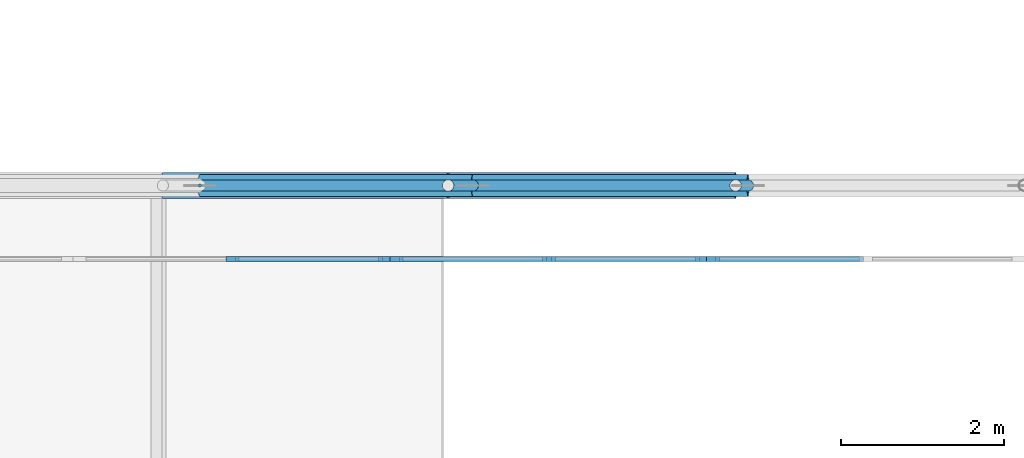
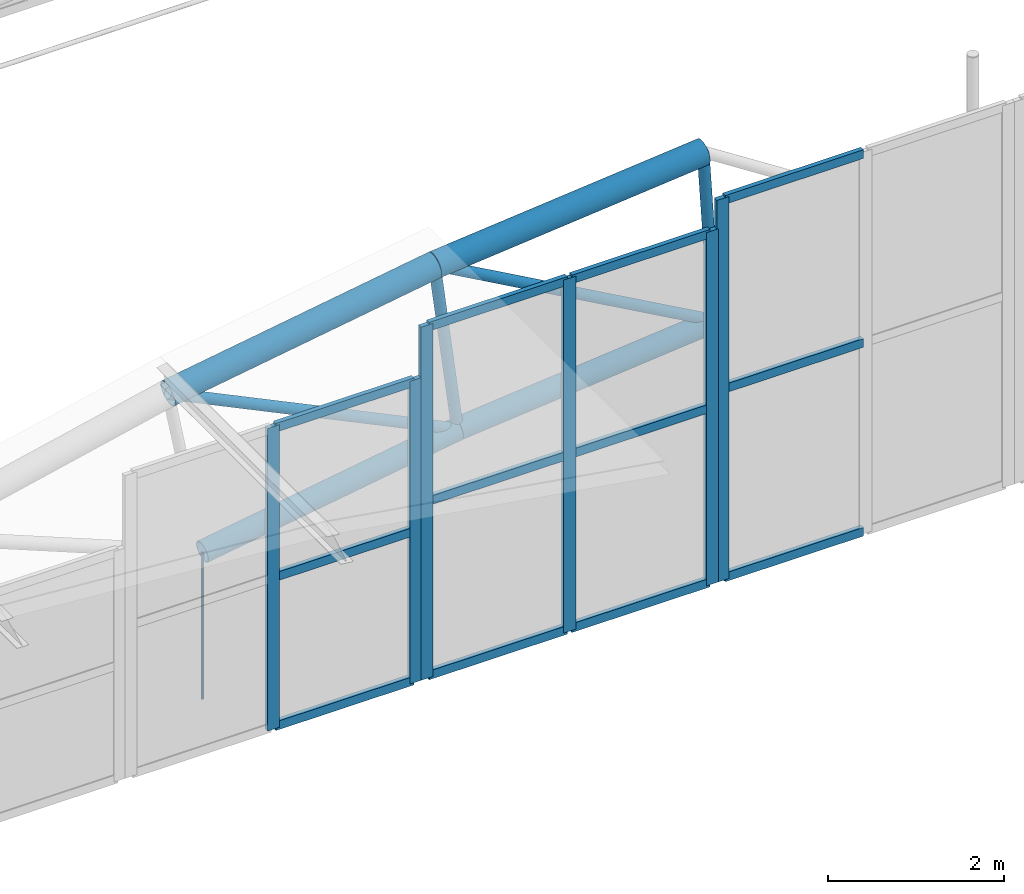
# One storey, part 135 of 321: 27 members, 3 elements without a shape of their own.
"""IFC4 building model written with IfcOpenShell, lengths in metres."""

from ifc_helpers import new_model, si_unit, direction, frame, origin, origin_2d, place, context, subcontext, project, spatial, rectangle, circle, hollow_circle, extrude, material, layer, layer_set, material_profile, profile_set, type_object, element, aggregate, save


model = new_model("IFC4")

# Units and contexts
model_context = context("Model", 3, precision=1e-05, world=origin(), true_north=direction((0.0, 1.0)))
body_context = subcontext(model_context, "Body", "Model", "MODEL_VIEW")
ifc_project = project(units=[si_unit("LENGTHUNIT", "METRE"), si_unit("AREAUNIT", "SQUARE_METRE"), si_unit("VOLUMEUNIT", "CUBIC_METRE"), si_unit("PLANEANGLEUNIT", "RADIAN"), si_unit("MASSUNIT", "GRAM", prefix="KILO")], contexts=[model_context])

# Site, building, storey
site_placement = place(None, origin())
site = spatial("IfcSite", under=ifc_project, at=site_placement, CompositionType="ELEMENT")
building_placement = place(site_placement, origin())
building = spatial("IfcBuilding", under=site, at=building_placement, Name="Ravi Spectrum Wholesale Market", CompositionType="ELEMENT")
storey_placement = place(building_placement, frame((0.0, 0.0, 10.800048828125)))
storey = spatial("IfcBuildingStorey", under=building, at=storey_placement, Name="L02", CompositionType="ELEMENT", Elevation=10.800048828125)

# Members
ifc_material_1 = material(Name="Steel S355", Category="steel")
ifc_material_profile_1 = material_profile(ifc_material_1, hollow_circle(Radius=0.06982421875, WallThickness=0.0048828125, at=origin_2d()))
ifc_profile_set_1 = profile_set([ifc_material_profile_1], Name="Steel S355")
member_type_1 = type_object("IfcMemberType", Name="CHS 139.7x5 brace", PredefinedType="BRACE", material=ifc_profile_set_1)
for number, where, z_axis, x_axis, name in (
    (1, (163.434326171875, 126.0, 4.394775390625), (0.901638699511, 0.0, -0.432490064098), (0.0, 1.0, 0.0), "H2-MB-L02-269"),
    (2, (166.9326171875, 126.0, 4.952392578125), (0.872529716562, 0.0, -0.488561044001), (0.0, 1.0, 0.0), "H2-MB-L02-270"),
):
    element("IfcMember", number, at=place(storey_placement, frame(where, z_axis=z_axis, x_axis=x_axis)), inside=storey, type_object=member_type_1, Name=name, PredefinedType="BRACE", context=body_context, shape_type="SweptSolid", body=[
        extrude(hollow_circle(Radius=0.06982421875, WallThickness=0.0048828125, at=origin_2d()), origin(), (0.0, 0.0, 1.0), 4.215576171875),
    ])
ifc_material_2 = material(Name="Steel S355", Category="steel")
ifc_material_profile_2 = material_profile(ifc_material_2, hollow_circle(Radius=0.06982421875, WallThickness=0.0048828125, at=origin_2d()))
ifc_profile_set_2 = profile_set([ifc_material_profile_2], Name="Steel S355")
member_type_2 = type_object("IfcMemberType", Name="CHS 139.7x5 post", PredefinedType="POST", material=ifc_profile_set_2)
for number, where, z_axis, x_axis, name in (
    (3, (166.9326171875, 126.0, 4.952392578125), (0.126137795856, 0.0, -0.992012729987), (0.0, 1.0, 0.0), "H2-MB-L02-257"),
    (4, (170.459228515625, 126.0, 5.2880859375), (0.06316988397, 0.0, -0.998002788453), (0.0, 1.0, 0.0), "H2-MB-L02-258"),
):
    element("IfcMember", number, at=place(storey_placement, frame(where, z_axis=z_axis, x_axis=x_axis)), inside=storey, type_object=member_type_2, Name=name, PredefinedType="POST", context=body_context, shape_type="SweptSolid", body=[
        extrude(hollow_circle(Radius=0.06982421875, WallThickness=0.0048828125, at=origin_2d()), origin(), (0.0, 0.0, 1.0), 2.400146484375),
    ])
ifc_material_3 = material(Name="Steel S355", Category="steel")
ifc_material_profile_3 = material_profile(ifc_material_3, hollow_circle(Radius=0.136474609375, WallThickness=0.010009765625, at=origin_2d()))
ifc_profile_set_3 = profile_set([ifc_material_profile_3], Name="Steel S355")
member_type_3 = type_object("IfcMemberType", Name="CHS 273x10 chord", PredefinedType="CHORD", material=ifc_profile_set_3)
member_1_placement = place(storey_placement, frame((163.88671875, 126.0, 2.037841796875), z_axis=(0.98753659733, 0.0, 0.157389545185), x_axis=(0.0, 1.0, 0.0)))
element("IfcMember", 5, at=member_1_placement, inside=storey, type_object=member_type_3, Name="H2-MB-L02-243", PredefinedType="CHORD", context=body_context, shape_type="SweptSolid", body=[
    extrude(hollow_circle(Radius=0.136474609375, WallThickness=0.010009765625, at=origin_2d()), origin(), (0.0, 0.0, 1.0), 3.390869140625),
])
member_2_placement = place(storey_placement, frame((167.2353515625, 126.0, 2.571533203125), z_axis=(0.995500648787, 0.0, 0.094754726877), x_axis=(0.0, 1.0, 0.0)))
element("IfcMember", 6, at=member_2_placement, inside=storey, type_object=member_type_3, Name="H2-MB-L02-244", PredefinedType="CHORD", context=body_context, shape_type="SweptSolid", body=[
    extrude(hollow_circle(Radius=0.136474609375, WallThickness=0.010009765625, at=origin_2d()), origin(), (0.0, 0.0, 1.0), 3.390625),
])
ifc_material_4 = material(Name="Steel S355", Category="steel")
ifc_material_profile_4 = material_profile(ifc_material_4, hollow_circle(Radius=0.161865234375, WallThickness=0.010009765625, at=origin_2d()))
ifc_profile_set_4 = profile_set([ifc_material_profile_4], Name="Steel S355")
member_type_4 = type_object("IfcMemberType", Name="CHS 323.9x10 chord", PredefinedType="CHORD", material=ifc_profile_set_4)
for number, where, z_axis, x_axis, name in (
    (7, (163.434326171875, 126.0, 4.394775390625), (0.987533356072, 0.0, 0.157409881029), (0.0, 1.0, 0.0), "H2-MB-L02-229"),
    (8, (166.9326171875, 126.0, 4.952392578125), (0.995500117461, 0.0, 0.094760308862), (0.0, 1.0, 0.0), "H2-MB-L02-230"),
):
    element("IfcMember", number, at=place(storey_placement, frame(where, z_axis=z_axis, x_axis=x_axis)), inside=storey, type_object=member_type_4, Name=name, PredefinedType="CHORD", context=body_context, shape_type="SweptSolid", body=[
        extrude(hollow_circle(Radius=0.161865234375, WallThickness=0.010009765625, at=origin_2d()), origin(), (0.0, 0.0, 1.0), 3.54248046875),
    ])

# Curtain wall, members
ifc_material_5 = material(Name="Aluminium 6063-T6", Category="aluminium")
ifc_layer = layer(ifc_material_5, 0.14990234375)
ifc_layer_set = layer_set([ifc_layer], Name="Aluminium 6063-T6")
curtain_wall_type = type_object("IfcCurtainWallType", Name="Curtain wall 150", PredefinedType="NOTDEFINED", material=ifc_layer_set)
curtain_wall_1_placement = place(storey_placement, origin())
curtain_wall_1 = element("IfcCurtainWall", 9, at=curtain_wall_1_placement, inside=storey, type_object=curtain_wall_type, Name="H2-CW-L02-013", PredefinedType="NOTDEFINED")
ifc_material_6 = material(Name="Aluminium 6063-T6", Category="aluminium")
ifc_material_profile_5 = material_profile(ifc_material_6, rectangle(XDim=0.06005859375, YDim=0.159912109375, at=origin_2d()))
ifc_profile_set_5 = profile_set([ifc_material_profile_5], Name="Aluminium 6063-T6")
member_type_5 = type_object("IfcMemberType", Name="Mullion 60 x 160", PredefinedType="MULLION", material=ifc_profile_set_5)
member_3_placement = place(storey_placement, frame((164.28466796875, 125.10009765625, 0.0), z_axis=(0.0, 0.0, 1.0), x_axis=(0.0, 1.0, 0.0)))
member_3 = element("IfcMember", 10, at=member_3_placement, type_object=member_type_5, Name="H2-CW-L02-013 mullion 2", PredefinedType="MULLION", context=body_context, shape_type="SweptSolid", body=[
    extrude(rectangle(XDim=0.06005859375, YDim=0.159912109375, at=origin_2d()), origin(), (0.0, 0.0, 1.0), 4.199951171875),
])
member_4_placement = place(storey_placement, frame((166.15771484375, 125.10009765625, 0.0), z_axis=(0.0, 0.0, 1.0), x_axis=(0.0, 1.0, 0.0)))
member_4 = element("IfcMember", 11, at=member_4_placement, type_object=member_type_5, Name="H2-CW-L02-013 mullion 3", PredefinedType="MULLION", context=body_context, shape_type="SweptSolid", body=[
    extrude(rectangle(XDim=0.06005859375, YDim=0.159912109375, at=origin_2d()), origin(), (0.0, 0.0, 1.0), 4.199951171875),
])

curtain_wall_2_placement = place(storey_placement, origin())
curtain_wall_2 = element("IfcCurtainWall", 12, at=curtain_wall_2_placement, inside=storey, type_object=curtain_wall_type, Name="H2-CW-L02-014", PredefinedType="NOTDEFINED")
member_5_placement = place(storey_placement, frame((166.2978515625, 125.10009765625, 0.0), z_axis=(0.0, 0.0, 1.0), x_axis=(0.0, 1.0, 0.0)))
member_5 = element("IfcMember", 13, at=member_5_placement, type_object=member_type_5, Name="H2-CW-L02-014 mullion 1", PredefinedType="MULLION", context=body_context, shape_type="SweptSolid", body=[
    extrude(rectangle(XDim=0.06005859375, YDim=0.159912109375, at=origin_2d()), origin(), (0.0, 0.0, 1.0), 4.89990234375),
])
member_6_placement = place(storey_placement, frame((168.1708984375, 125.10009765625, 0.0), z_axis=(0.0, 0.0, 1.0), x_axis=(0.0, 1.0, 0.0)))
member_6 = element("IfcMember", 14, at=member_6_placement, type_object=member_type_5, Name="H2-CW-L02-014 mullion 2", PredefinedType="MULLION", context=body_context, shape_type="SweptSolid", body=[
    extrude(rectangle(XDim=0.06005859375, YDim=0.159912109375, at=origin_2d()), origin(), (0.0, 0.0, 1.0), 4.89990234375),
])
member_7_placement = place(storey_placement, frame((170.0439453125, 125.10009765625, 0.0), z_axis=(0.0, 0.0, 1.0), x_axis=(0.0, 1.0, 0.0)))
member_7 = element("IfcMember", 15, at=member_7_placement, type_object=member_type_5, Name="H2-CW-L02-014 mullion 3", PredefinedType="MULLION", context=body_context, shape_type="SweptSolid", body=[
    extrude(rectangle(XDim=0.06005859375, YDim=0.159912109375, at=origin_2d()), origin(), (0.0, 0.0, 1.0), 4.89990234375),
])

# Curtain wall, member
curtain_wall_3_placement = place(storey_placement, origin())
curtain_wall_3 = element("IfcCurtainWall", 16, at=curtain_wall_3_placement, inside=storey, type_object=curtain_wall_type, Name="H2-CW-L02-015", PredefinedType="NOTDEFINED")
member_8_placement = place(storey_placement, frame((170.183837890625, 125.10009765625, 0.0), z_axis=(0.0, 0.0, 1.0), x_axis=(0.0, 1.0, 0.0)))
member_8 = element("IfcMember", 17, at=member_8_placement, type_object=member_type_5, Name="H2-CW-L02-015 mullion 1", PredefinedType="MULLION", context=body_context, shape_type="SweptSolid", body=[
    extrude(rectangle(XDim=0.06005859375, YDim=0.159912109375, at=origin_2d()), origin(), (0.0, 0.0, 1.0), 5.300048828125),
])

# Member
ifc_material_7 = material(Name="Steel S355", Category="steel")
ifc_material_profile_6 = material_profile(ifc_material_7, circle(Radius=0.01806640625, at=origin_2d()))
ifc_profile_set_6 = profile_set([ifc_material_profile_6], Name="Steel S355")
member_type_6 = type_object("IfcMemberType", Name="ROD 36 hanger", PredefinedType="STRUT", material=ifc_profile_set_6)
member_9_placement = place(storey_placement, frame((163.88671875, 126.0, 0.0), z_axis=(0.0, 0.0, 1.0), x_axis=(1.0, 0.0, 0.0)))
element("IfcMember", 18, at=member_9_placement, inside=storey, type_object=member_type_6, Name="H2-MB-L02-279", PredefinedType="STRUT", context=body_context, shape_type="SweptSolid", body=[
    extrude(circle(Radius=0.01806640625, at=origin_2d()), origin(), (0.0, 0.0, 1.0), 2.037841796875),
])

ifc_material_8 = material(Name="Aluminium 6063-T6", Category="aluminium")
ifc_material_profile_7 = material_profile(ifc_material_8, rectangle(XDim=0.06005859375, YDim=0.1201171875, at=origin_2d()))
ifc_profile_set_7 = profile_set([ifc_material_profile_7], Name="Aluminium 6063-T6")
member_type_7 = type_object("IfcMemberType", Name="Transom 60 x 120", PredefinedType="USERDEFINED", material=ifc_profile_set_7)
member_10_placement = place(storey_placement, frame((164.314697265625, 125.10009765625, 0.030029296875), z_axis=(1.0, 0.0, 0.0), x_axis=(0.0, 1.0, 0.0)))
member_10 = element("IfcMember", 19, at=member_10_placement, type_object=member_type_7, Name="H2-CW-L02-013 transom 2.1", ObjectType="TRANSOM", PredefinedType="USERDEFINED", context=body_context, shape_type="SweptSolid", body=[
    extrude(rectangle(XDim=0.06005859375, YDim=0.1201171875, at=origin_2d()), origin(), (0.0, 0.0, 1.0), 1.81298828125),
])

member_11_placement = place(storey_placement, frame((164.314697265625, 125.10009765625, 2.099853515625), z_axis=(1.0, 0.0, 0.0), x_axis=(0.0, 1.0, 0.0)))
member_11 = element("IfcMember", 20, at=member_11_placement, type_object=member_type_7, Name="H2-CW-L02-013 transom 2.2", ObjectType="TRANSOM", PredefinedType="USERDEFINED", context=body_context, shape_type="SweptSolid", body=[
    extrude(rectangle(XDim=0.06005859375, YDim=0.1201171875, at=origin_2d()), origin(), (0.0, 0.0, 1.0), 1.81298828125),
])

member_12_placement = place(storey_placement, frame((164.314697265625, 125.10009765625, 4.169921875), z_axis=(1.0, 0.0, 0.0), x_axis=(0.0, 1.0, 0.0)))
member_12 = element("IfcMember", 21, at=member_12_placement, type_object=member_type_7, Name="H2-CW-L02-013 transom 2.3", ObjectType="TRANSOM", PredefinedType="USERDEFINED", context=body_context, shape_type="SweptSolid", body=[
    extrude(rectangle(XDim=0.06005859375, YDim=0.1201171875, at=origin_2d()), origin(), (0.0, 0.0, 1.0), 1.81298828125),
])

aggregate(curtain_wall_1, [member_3, member_4, member_10, member_11, member_12])

member_13_placement = place(storey_placement, frame((166.32763671875, 125.10009765625, 0.030029296875), z_axis=(1.0, 0.0, 0.0), x_axis=(0.0, 1.0, 0.0)))
member_13 = element("IfcMember", 22, at=member_13_placement, type_object=member_type_7, Name="H2-CW-L02-014 transom 1.1", ObjectType="TRANSOM", PredefinedType="USERDEFINED", context=body_context, shape_type="SweptSolid", body=[
    extrude(rectangle(XDim=0.06005859375, YDim=0.1201171875, at=origin_2d()), origin(), (0.0, 0.0, 1.0), 1.813232421875),
])

member_14_placement = place(storey_placement, frame((166.32763671875, 125.10009765625, 2.449951171875), z_axis=(1.0, 0.0, 0.0), x_axis=(0.0, 1.0, 0.0)))
member_14 = element("IfcMember", 23, at=member_14_placement, type_object=member_type_7, Name="H2-CW-L02-014 transom 1.2", ObjectType="TRANSOM", PredefinedType="USERDEFINED", context=body_context, shape_type="SweptSolid", body=[
    extrude(rectangle(XDim=0.06005859375, YDim=0.1201171875, at=origin_2d()), origin(), (0.0, 0.0, 1.0), 1.813232421875),
])

member_15_placement = place(storey_placement, frame((166.32763671875, 125.10009765625, 4.869873046875), z_axis=(1.0, 0.0, 0.0), x_axis=(0.0, 1.0, 0.0)))
member_15 = element("IfcMember", 24, at=member_15_placement, type_object=member_type_7, Name="H2-CW-L02-014 transom 1.3", ObjectType="TRANSOM", PredefinedType="USERDEFINED", context=body_context, shape_type="SweptSolid", body=[
    extrude(rectangle(XDim=0.06005859375, YDim=0.1201171875, at=origin_2d()), origin(), (0.0, 0.0, 1.0), 1.813232421875),
])

member_16_placement = place(storey_placement, frame((168.20068359375, 125.10009765625, 0.030029296875), z_axis=(1.0, 0.0, 0.0), x_axis=(0.0, 1.0, 0.0)))
member_16 = element("IfcMember", 25, at=member_16_placement, type_object=member_type_7, Name="H2-CW-L02-014 transom 2.1", ObjectType="TRANSOM", PredefinedType="USERDEFINED", context=body_context, shape_type="SweptSolid", body=[
    extrude(rectangle(XDim=0.06005859375, YDim=0.1201171875, at=origin_2d()), origin(), (0.0, 0.0, 1.0), 1.813232421875),
])

member_17_placement = place(storey_placement, frame((168.20068359375, 125.10009765625, 2.449951171875), z_axis=(1.0, 0.0, 0.0), x_axis=(0.0, 1.0, 0.0)))
member_17 = element("IfcMember", 26, at=member_17_placement, type_object=member_type_7, Name="H2-CW-L02-014 transom 2.2", ObjectType="TRANSOM", PredefinedType="USERDEFINED", context=body_context, shape_type="SweptSolid", body=[
    extrude(rectangle(XDim=0.06005859375, YDim=0.1201171875, at=origin_2d()), origin(), (0.0, 0.0, 1.0), 1.813232421875),
])

member_18_placement = place(storey_placement, frame((168.20068359375, 125.10009765625, 4.869873046875), z_axis=(1.0, 0.0, 0.0), x_axis=(0.0, 1.0, 0.0)))
member_18 = element("IfcMember", 27, at=member_18_placement, type_object=member_type_7, Name="H2-CW-L02-014 transom 2.3", ObjectType="TRANSOM", PredefinedType="USERDEFINED", context=body_context, shape_type="SweptSolid", body=[
    extrude(rectangle(XDim=0.06005859375, YDim=0.1201171875, at=origin_2d()), origin(), (0.0, 0.0, 1.0), 1.813232421875),
])

aggregate(curtain_wall_2, [member_5, member_6, member_7, member_13, member_14, member_15, member_16, member_17, member_18])

member_19_placement = place(storey_placement, frame((170.2138671875, 125.10009765625, 0.030029296875), z_axis=(1.0, 0.0, 0.0), x_axis=(0.0, 1.0, 0.0)))
member_19 = element("IfcMember", 28, at=member_19_placement, type_object=member_type_7, Name="H2-CW-L02-015 transom 1.1", ObjectType="TRANSOM", PredefinedType="USERDEFINED", context=body_context, shape_type="SweptSolid", body=[
    extrude(rectangle(XDim=0.06005859375, YDim=0.1201171875, at=origin_2d()), origin(), (0.0, 0.0, 1.0), 1.81298828125),
])

member_20_placement = place(storey_placement, frame((170.2138671875, 125.10009765625, 2.64990234375), z_axis=(1.0, 0.0, 0.0), x_axis=(0.0, 1.0, 0.0)))
member_20 = element("IfcMember", 29, at=member_20_placement, type_object=member_type_7, Name="H2-CW-L02-015 transom 1.2", ObjectType="TRANSOM", PredefinedType="USERDEFINED", context=body_context, shape_type="SweptSolid", body=[
    extrude(rectangle(XDim=0.06005859375, YDim=0.1201171875, at=origin_2d()), origin(), (0.0, 0.0, 1.0), 1.81298828125),
])

member_21_placement = place(storey_placement, frame((170.2138671875, 125.10009765625, 5.27001953125), z_axis=(1.0, 0.0, 0.0), x_axis=(0.0, 1.0, 0.0)))
member_21 = element("IfcMember", 30, at=member_21_placement, type_object=member_type_7, Name="H2-CW-L02-015 transom 1.3", ObjectType="TRANSOM", PredefinedType="USERDEFINED", context=body_context, shape_type="SweptSolid", body=[
    extrude(rectangle(XDim=0.06005859375, YDim=0.1201171875, at=origin_2d()), origin(), (0.0, 0.0, 1.0), 1.81298828125),
])

aggregate(curtain_wall_3, [member_8, member_19, member_20, member_21])

save(model, "model.ifc")
